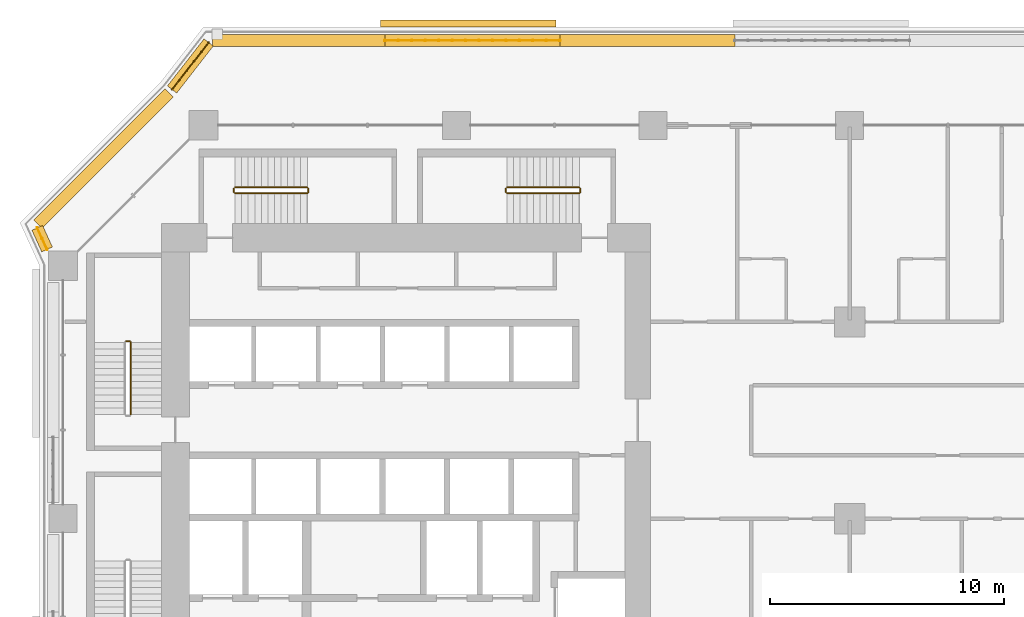
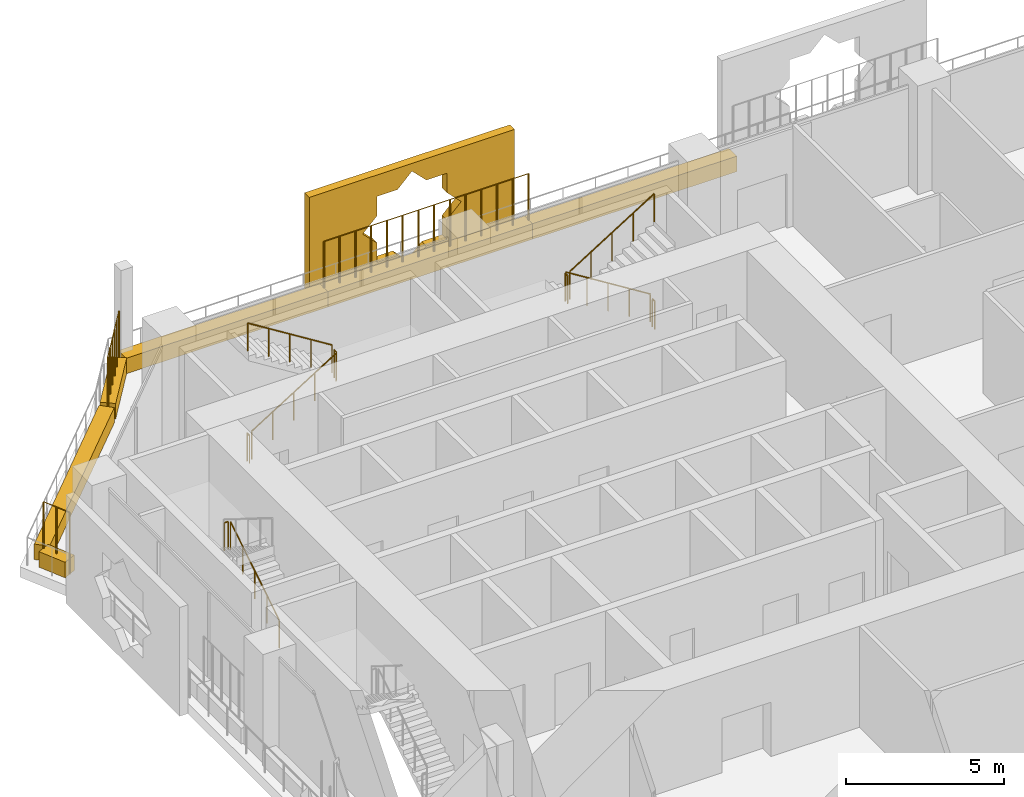
# One storey, part 26 of 28: 13 railings, 7 coverings.
"""IFC4 building model written with IfcOpenShell, lengths in metres."""

from ifc_helpers import new_model, si_unit, direction, frame, origin, origin_2d, place, context, subcontext, project, spatial, polyline, rectangle, circle, outline, extrude, material, material_profile, profile_set, type_object, element, save


model = new_model("IFC4")

# Units and contexts
model_context = context("Model", 3, precision=1e-05, world=origin(), true_north=direction((0.0, 1.0)))
body_context = subcontext(model_context, "Body", "Model", "MODEL_VIEW")
ifc_project = project(units=[si_unit("LENGTHUNIT", "METRE"), si_unit("AREAUNIT", "SQUARE_METRE"), si_unit("VOLUMEUNIT", "CUBIC_METRE"), si_unit("PLANEANGLEUNIT", "RADIAN"), si_unit("MASSUNIT", "GRAM", prefix="KILO")], contexts=[model_context])

# Site, building, storey
site_placement = place(None, origin())
site = spatial("IfcSite", under=ifc_project, at=site_placement, CompositionType="ELEMENT")
building_placement = place(site_placement, origin())
building = spatial("IfcBuilding", under=site, at=building_placement, Name="Kawkab Arch Medical Tower", CompositionType="ELEMENT")
storey_placement = place(building_placement, frame((0.0, 0.0, 81.199951171875)))
storey = spatial("IfcBuildingStorey", under=building, at=storey_placement, Name="L18", CompositionType="ELEMENT", Elevation=81.199951171875)

# Coverings
ifc_material_1 = material(Name="Bronze anodised aluminium mashrabiya panel, eight-point star pattern", Category="aluminium")
ifc_material_profile_1 = material_profile(ifc_material_1, outline(polyline([(-3.75, -2.10009765625), (3.75, -2.10009765625), (3.75, 2.10009765625), (-3.75, 2.10009765625), (-3.75, -2.10009765625)]), holes=[polyline([(1.800048828125, 0.0), (1.272705078125, 0.527099609375), (1.272705078125, 1.272705078125), (0.527099609375, 1.272705078125), (0.0, 1.800048828125), (-0.527099609375, 1.272705078125), (-1.272705078125, 1.272705078125), (-1.272705078125, 0.527099609375), (-1.800048828125, 0.0), (-1.272705078125, -0.527099609375), (-1.272705078125, -1.272705078125), (-0.527099609375, -1.272705078125), (0.0, -1.800048828125), (0.527099609375, -1.272705078125), (1.272705078125, -1.272705078125), (1.272705078125, -0.527099609375), (1.800048828125, 0.0)])]), Name="Mashrabiya panel 7500x4200")
ifc_profile_set_1 = profile_set([ifc_material_profile_1], Name="Bronze anodised aluminium mashrabiya panel, eight-point star pattern")
covering_type_1 = type_object("IfcCoveringType", Name="Mashrabiya panel 7500 x 4200", PredefinedType="USERDEFINED", material=ifc_profile_set_1)
covering_1_placement = place(storey_placement, frame((17.30322265625, 4.199951171875, 1.699951171875), z_axis=(0.0, 1.0, 0.0), x_axis=(-1.0, 0.0, 0.0)))
element("IfcCovering", 1, at=covering_1_placement, inside=storey, type_object=covering_type_1, Name="Mashrabiya panel L18.LOG-01-01.6", ObjectType="SCREEN", PredefinedType="USERDEFINED", context=body_context, shape_type="SweptSolid", body=[
    extrude(outline(polyline([(-3.75, -2.10009765625), (3.75, -2.10009765625), (3.75, 2.10009765625), (-3.75, 2.10009765625), (-3.75, -2.10009765625)]), holes=[polyline([(1.800048828125, 0.0), (1.272705078125, 0.527099609375), (1.272705078125, 1.272705078125), (0.527099609375, 1.272705078125), (0.0, 1.800048828125), (-0.527099609375, 1.272705078125), (-1.272705078125, 1.272705078125), (-1.272705078125, 0.527099609375), (-1.800048828125, 0.0), (-1.272705078125, -0.527099609375), (-1.272705078125, -1.272705078125), (-0.527099609375, -1.272705078125), (0.0, -1.800048828125), (0.527099609375, -1.272705078125), (1.272705078125, -1.272705078125), (1.272705078125, -0.527099609375), (1.800048828125, 0.0)])]), origin(), (0.0, 0.0, 1.0), 0.300048828125),
])
ifc_material_2 = material(Name="Planting soil in a precast trough", Category="concrete")
ifc_material_profile_2 = material_profile(ifc_material_2, rectangle(XDim=0.5, YDim=0.60009765625, at=origin_2d()), Name="Trough 500x600")
ifc_profile_set_2 = profile_set([ifc_material_profile_2], Name="Planting soil in a precast trough")
covering_type_2 = type_object("IfcCoveringType", Name="Planter trough 500 x 600", PredefinedType="USERDEFINED", material=ifc_profile_set_2)
covering_2_placement = place(storey_placement, frame((-0.680908203125, -5.302001953125, 0.300048828125), z_axis=(-0.415071571878, 0.909788761317, 0.0), x_axis=(-0.909788761317, -0.415071571878, 0.0)))
element("IfcCovering", 2, at=covering_2_placement, inside=storey, type_object=covering_type_2, Name="Planter L18.LOG-01-01.17", ObjectType="PLANTER", PredefinedType="USERDEFINED", context=body_context, shape_type="SweptSolid", body=[
    extrude(rectangle(XDim=0.5, YDim=0.60009765625, at=origin_2d()), origin(), (0.0, 0.0, 1.0), 1.0146484375),
])
covering_3_placement = place(storey_placement, frame((-1.072998046875, -4.217041015625, 0.300048828125), z_axis=(0.707106781187, 0.707106781187, 0.0), x_axis=(-0.707106781187, 0.707106781187, 0.0)))
element("IfcCovering", 3, at=covering_3_placement, inside=storey, type_object=covering_type_2, Name="Planter L18.LOG-01-01.18", ObjectType="PLANTER", PredefinedType="USERDEFINED", context=body_context, shape_type="SweptSolid", body=[
    extrude(rectangle(XDim=0.5, YDim=0.60009765625, at=origin_2d()), origin(), (0.0, 0.0, 1.0), 7.919677734375),
])
covering_4_placement = place(storey_placement, frame((4.658935546875, 1.531982421875, 0.300048828125), z_axis=(0.61404021143, 0.789274742246, 0.0), x_axis=(-0.789274742246, 0.61404021143, 0.0)))
element("IfcCovering", 4, at=covering_4_placement, inside=storey, type_object=covering_type_2, Name="Planter L18.LOG-01-01.19", ObjectType="PLANTER", PredefinedType="USERDEFINED", context=body_context, shape_type="SweptSolid", body=[
    extrude(rectangle(XDim=0.5, YDim=0.60009765625, at=origin_2d()), origin(), (0.0, 0.0, 1.0), 2.54541015625),
])
covering_5_placement = place(storey_placement, frame((6.384033203125, 3.6201171875, 0.300048828125), z_axis=(1.0, 0.0, 0.0), x_axis=(0.0, 1.0, 0.0)))
element("IfcCovering", 5, at=covering_5_placement, inside=storey, type_object=covering_type_2, Name="Planter L18.LOG-01-01.20", ObjectType="PLANTER", PredefinedType="USERDEFINED", context=body_context, shape_type="SweptSolid", body=[
    extrude(rectangle(XDim=0.5, YDim=0.60009765625, at=origin_2d()), origin(), (0.0, 0.0, 1.0), 7.369873046875),
])
covering_6_placement = place(storey_placement, frame((13.75390625, 3.6201171875, 0.300048828125), z_axis=(1.0, 0.0, 0.0), x_axis=(0.0, 1.0, 0.0)))
element("IfcCovering", 6, at=covering_6_placement, inside=storey, type_object=covering_type_2, Name="Planter L18.LOG-01-01.21", ObjectType="PLANTER", PredefinedType="USERDEFINED", context=body_context, shape_type="SweptSolid", body=[
    extrude(rectangle(XDim=0.5, YDim=0.60009765625, at=origin_2d()), origin(), (0.0, 0.0, 1.0), 7.47021484375),
])
covering_7_placement = place(storey_placement, frame((21.22412109375, 3.6201171875, 0.300048828125), z_axis=(1.0, 0.0, 0.0), x_axis=(0.0, 1.0, 0.0)))
element("IfcCovering", 7, at=covering_7_placement, inside=storey, type_object=covering_type_2, Name="Planter L18.LOG-01-01.22", ObjectType="PLANTER", PredefinedType="USERDEFINED", context=body_context, shape_type="SweptSolid", body=[
    extrude(rectangle(XDim=0.5, YDim=0.60009765625, at=origin_2d()), origin(), (0.0, 0.0, 1.0), 7.470947265625),
])

# Railings
ifc_material_3 = material(Name="Bronze anodised aluminium trellis for climbing plants", Category="aluminium")
railing_type_1 = type_object("IfcRailingType", Name="Planting trellis 2400", PredefinedType="USERDEFINED", material=ifc_material_3)
railing_1_placement = place(storey_placement, frame((-0.680908203125, -5.302001953125, 0.0)))
element("IfcRailing", 8, at=railing_1_placement, inside=storey, type_object=railing_type_1, Name="Planting trellis L18.LOG-01-01.17", ObjectType="TRELLIS", PredefinedType="USERDEFINED", context=body_context, shape_type="SweptSolid", body=[
    extrude(circle(Radius=0.01513671875, at=origin_2d()), frame((0.0, 0.0, 2.384765625), z_axis=(-0.415071571878, 0.909788761317, 0.0), x_axis=(-0.909788761317, -0.415071571878, 0.0)), (0.0, 0.0, 1.0), 1.0146484375),
    extrude(circle(Radius=0.030029296875, at=origin_2d()), origin(), (0.0, 0.0, 1.0), 2.369873046875),
    extrude(circle(Radius=0.030029296875, at=origin_2d()), frame((-0.21044921875, 0.46142578125, 0.0)), (0.0, 0.0, 1.0), 2.369873046875),
    extrude(circle(Radius=0.030029296875, at=origin_2d()), frame((-0.421142578125, 0.923095703125, 0.0)), (0.0, 0.0, 1.0), 2.369873046875),
])
railing_2_placement = place(storey_placement, frame((4.658935546875, 1.531982421875, 0.0)))
element("IfcRailing", 9, at=railing_2_placement, inside=storey, type_object=railing_type_1, Name="Planting trellis L18.LOG-01-01.19", ObjectType="TRELLIS", PredefinedType="USERDEFINED", context=body_context, shape_type="SweptSolid", body=[
    extrude(circle(Radius=0.01513671875, at=origin_2d()), frame((0.0, 0.0, 2.384765625), z_axis=(0.61404021143, 0.789274742246, 0.0), x_axis=(-0.789274742246, 0.61404021143, 0.0)), (0.0, 0.0, 1.0), 2.54541015625),
    extrude(circle(Radius=0.030029296875, at=origin_2d()), origin(), (0.0, 0.0, 1.0), 2.369873046875),
    extrude(circle(Radius=0.030029296875, at=origin_2d()), frame((0.3125, 0.40185546875, 0.0)), (0.0, 0.0, 1.0), 2.369873046875),
    extrude(circle(Radius=0.030029296875, at=origin_2d()), frame((0.625244140625, 0.8037109375, 0.0)), (0.0, 0.0, 1.0), 2.369873046875),
    extrude(circle(Radius=0.030029296875, at=origin_2d()), frame((0.937744140625, 1.205322265625, 0.0)), (0.0, 0.0, 1.0), 2.369873046875),
    extrude(circle(Radius=0.030029296875, at=origin_2d()), frame((1.25048828125, 1.607177734375, 0.0)), (0.0, 0.0, 1.0), 2.369873046875),
    extrude(circle(Radius=0.030029296875, at=origin_2d()), frame((1.56298828125, 2.009033203125, 0.0)), (0.0, 0.0, 1.0), 2.369873046875),
])
railing_3_placement = place(storey_placement, frame((13.75390625, 3.6201171875, 0.0)))
element("IfcRailing", 10, at=railing_3_placement, inside=storey, type_object=railing_type_1, Name="Planting trellis L18.LOG-01-01.21", ObjectType="TRELLIS", PredefinedType="USERDEFINED", context=body_context, shape_type="SweptSolid", body=[
    extrude(circle(Radius=0.01513671875, at=origin_2d()), frame((0.0, 0.0, 2.384765625), z_axis=(1.0, 0.0, 0.0), x_axis=(0.0, 1.0, 0.0)), (0.0, 0.0, 1.0), 7.47021484375),
    extrude(circle(Radius=0.030029296875, at=origin_2d()), origin(), (0.0, 0.0, 1.0), 2.369873046875),
    extrude(circle(Radius=0.030029296875, at=origin_2d()), frame((0.57470703125, 0.0, 0.0)), (0.0, 0.0, 1.0), 2.369873046875),
    extrude(circle(Radius=0.030029296875, at=origin_2d()), frame((1.149169921875, 0.0, 0.0)), (0.0, 0.0, 1.0), 2.369873046875),
    extrude(circle(Radius=0.030029296875, at=origin_2d()), frame((1.723876953125, 0.0, 0.0)), (0.0, 0.0, 1.0), 2.369873046875),
    extrude(circle(Radius=0.030029296875, at=origin_2d()), frame((2.298583984375, 0.0, 0.0)), (0.0, 0.0, 1.0), 2.369873046875),
    extrude(circle(Radius=0.030029296875, at=origin_2d()), frame((2.873046875, 0.0, 0.0)), (0.0, 0.0, 1.0), 2.369873046875),
    extrude(circle(Radius=0.030029296875, at=origin_2d()), frame((3.44775390625, 0.0, 0.0)), (0.0, 0.0, 1.0), 2.369873046875),
    extrude(circle(Radius=0.030029296875, at=origin_2d()), frame((4.0224609375, 0.0, 0.0)), (0.0, 0.0, 1.0), 2.369873046875),
    extrude(circle(Radius=0.030029296875, at=origin_2d()), frame((4.59716796875, 0.0, 0.0)), (0.0, 0.0, 1.0), 2.369873046875),
    extrude(circle(Radius=0.030029296875, at=origin_2d()), frame((5.171630859375, 0.0, 0.0)), (0.0, 0.0, 1.0), 2.369873046875),
    extrude(circle(Radius=0.030029296875, at=origin_2d()), frame((5.746337890625, 0.0, 0.0)), (0.0, 0.0, 1.0), 2.369873046875),
    extrude(circle(Radius=0.030029296875, at=origin_2d()), frame((6.321044921875, 0.0, 0.0)), (0.0, 0.0, 1.0), 2.369873046875),
    extrude(circle(Radius=0.030029296875, at=origin_2d()), frame((6.8955078125, 0.0, 0.0)), (0.0, 0.0, 1.0), 2.369873046875),
    extrude(circle(Radius=0.030029296875, at=origin_2d()), frame((7.47021484375, 0.0, 0.0)), (0.0, 0.0, 1.0), 2.369873046875),
])
ifc_material_4 = material(Name="Stainless steel", Category="steel")
railing_type_2 = type_object("IfcRailingType", Name="Stair guard 1100", PredefinedType="GUARDRAIL", material=ifc_material_4)
railing_4_placement = place(storey_placement, frame((2.89990234375, -12.35009765625, 0.175048828125)))
element("IfcRailing", 11, at=railing_4_placement, inside=storey, type_object=railing_type_2, Name="L18 ST1 stair guard 1", PredefinedType="GUARDRAIL", context=body_context, shape_type="SweptSolid", body=[
    extrude(circle(Radius=0.02392578125, at=origin_2d()), frame((0.0, 0.0, 1.076171875), z_axis=(0.0, 0.847998304005, 0.529998940003), x_axis=(-1.0, 0.0, 0.0)), (0.0, 0.0, 1.0), 3.632080078125),
    extrude(circle(Radius=0.02099609375, at=origin_2d()), origin(), (0.0, 0.0, 1.0), 1.052001953125),
    extrude(circle(Radius=0.02099609375, at=origin_2d()), frame((0.0, 0.77001953125, 0.481201171875)), (0.0, 0.0, 1.0), 1.052001953125),
    extrude(circle(Radius=0.02099609375, at=origin_2d()), frame((0.0, 1.5400390625, 0.96240234375)), (0.0, 0.0, 1.0), 1.052001953125),
    extrude(circle(Radius=0.02099609375, at=origin_2d()), frame((0.0, 2.31005859375, 1.44384765625)), (0.0, 0.0, 1.0), 1.052001953125),
    extrude(circle(Radius=0.02099609375, at=origin_2d()), frame((0.0, 3.080078125, 1.925048828125)), (0.0, 0.0, 1.0), 1.052001953125),
])
railing_5_placement = place(storey_placement, frame((2.85009765625, -9.219970703125, 2.10009765625)))
element("IfcRailing", 12, at=railing_5_placement, inside=storey, type_object=railing_type_2, Name="L18 ST1 stair guard 2", PredefinedType="GUARDRAIL", context=body_context, shape_type="SweptSolid", body=[
    extrude(circle(Radius=0.02392578125, at=origin_2d()), frame((0.0, 0.0, 1.076171875), z_axis=(-1.0, 0.0, 0.0), x_axis=(0.0, -1.0, 0.0)), (0.0, 0.0, 1.0), 0.150146484375),
    extrude(circle(Radius=0.02099609375, at=origin_2d()), origin(), (0.0, 0.0, 1.0), 1.052001953125),
    extrude(circle(Radius=0.02099609375, at=origin_2d()), frame((-0.150146484375, 0.0, 0.0)), (0.0, 0.0, 1.0), 1.052001953125),
])
railing_6_placement = place(storey_placement, frame((7.35009765625, -2.89990234375, 0.175048828125)))
element("IfcRailing", 13, at=railing_6_placement, inside=storey, type_object=railing_type_2, Name="L18 ST3 stair guard 1", PredefinedType="GUARDRAIL", context=body_context, shape_type="SweptSolid", body=[
    extrude(circle(Radius=0.02392578125, at=origin_2d()), frame((0.0, 0.0, 1.076171875), z_axis=(0.847979421464, 0.0, 0.530029150871), x_axis=(0.0, 1.0, 0.0)), (0.0, 0.0, 1.0), 3.632080078125),
    extrude(circle(Radius=0.02099609375, at=origin_2d()), origin(), (0.0, 0.0, 1.0), 1.052001953125),
    extrude(circle(Radius=0.02099609375, at=origin_2d()), frame((0.77001953125, 0.0, 0.481201171875)), (0.0, 0.0, 1.0), 1.052001953125),
    extrude(circle(Radius=0.02099609375, at=origin_2d()), frame((1.5400390625, 0.0, 0.96240234375)), (0.0, 0.0, 1.0), 1.052001953125),
    extrude(circle(Radius=0.02099609375, at=origin_2d()), frame((2.309814453125, 0.0, 1.44384765625)), (0.0, 0.0, 1.0), 1.052001953125),
    extrude(circle(Radius=0.02099609375, at=origin_2d()), frame((3.079833984375, 0.0, 1.925048828125)), (0.0, 0.0, 1.0), 1.052001953125),
])
railing_7_placement = place(storey_placement, frame((10.47998046875, -2.85009765625, 2.10009765625)))
element("IfcRailing", 14, at=railing_7_placement, inside=storey, type_object=railing_type_2, Name="L18 ST3 stair guard 2", PredefinedType="GUARDRAIL", context=body_context, shape_type="SweptSolid", body=[
    extrude(circle(Radius=0.02392578125, at=origin_2d()), frame((0.0, 0.0, 1.076171875), z_axis=(0.0, 1.0, 0.0), x_axis=(-1.0, 0.0, 0.0)), (0.0, 0.0, 1.0), 0.150146484375),
    extrude(circle(Radius=0.02099609375, at=origin_2d()), origin(), (0.0, 0.0, 1.0), 1.052001953125),
    extrude(circle(Radius=0.02099609375, at=origin_2d()), frame((0.0, 0.150146484375, 0.0)), (0.0, 0.0, 1.0), 1.052001953125),
])
railing_8_placement = place(storey_placement, frame((10.429931640625, -2.64990234375, 2.275146484375)))
element("IfcRailing", 15, at=railing_8_placement, inside=storey, type_object=railing_type_2, Name="L18 ST3 stair guard 3", PredefinedType="GUARDRAIL", context=body_context, shape_type="SweptSolid", body=[
    extrude(circle(Radius=0.02392578125, at=origin_2d()), frame((0.0, 0.0, 1.076171875), z_axis=(-0.848009633417, 0.0, 0.529980812513), x_axis=(0.0, -1.0, 0.0)), (0.0, 0.0, 1.0), 3.6318359375),
    extrude(circle(Radius=0.02099609375, at=origin_2d()), origin(), (0.0, 0.0, 1.0), 1.052001953125),
    extrude(circle(Radius=0.02099609375, at=origin_2d()), frame((-0.77001953125, 0.0, 0.481201171875)), (0.0, 0.0, 1.0), 1.052001953125),
    extrude(circle(Radius=0.02099609375, at=origin_2d()), frame((-1.5400390625, 0.0, 0.96240234375)), (0.0, 0.0, 1.0), 1.052001953125),
    extrude(circle(Radius=0.02099609375, at=origin_2d()), frame((-2.309814453125, 0.0, 1.443603515625)), (0.0, 0.0, 1.0), 1.052001953125),
    extrude(circle(Radius=0.02099609375, at=origin_2d()), frame((-3.079833984375, 0.0, 1.9248046875)), (0.0, 0.0, 1.0), 1.052001953125),
])
railing_9_placement = place(storey_placement, frame((7.300048828125, -2.85009765625, 0.0)))
element("IfcRailing", 16, at=railing_9_placement, inside=storey, type_object=railing_type_2, Name="L18 ST3 stair guard 4", PredefinedType="GUARDRAIL", context=body_context, shape_type="SweptSolid", body=[
    extrude(circle(Radius=0.02392578125, at=origin_2d()), frame((0.0, 0.0, 1.076171875), z_axis=(0.0, 1.0, 0.0), x_axis=(-1.0, 0.0, 0.0)), (0.0, 0.0, 1.0), 0.150146484375),
    extrude(circle(Radius=0.02099609375, at=origin_2d()), origin(), (0.0, 0.0, 1.0), 1.052001953125),
    extrude(circle(Radius=0.02099609375, at=origin_2d()), frame((0.0, 0.150146484375, 0.0)), (0.0, 0.0, 1.0), 1.052001953125),
])
railing_10_placement = place(storey_placement, frame((22.050048828125, -2.64990234375, 0.175048828125)))
element("IfcRailing", 17, at=railing_10_placement, inside=storey, type_object=railing_type_2, Name="L18 ST4 stair guard 1", PredefinedType="GUARDRAIL", context=body_context, shape_type="SweptSolid", body=[
    extrude(circle(Radius=0.02392578125, at=origin_2d()), frame((0.0, 0.0, 1.076171875), z_axis=(-0.847998304005, 0.0, 0.529998940003), x_axis=(0.0, -1.0, 0.0)), (0.0, 0.0, 1.0), 3.632080078125),
    extrude(circle(Radius=0.02099609375, at=origin_2d()), origin(), (0.0, 0.0, 1.0), 1.052001953125),
    extrude(circle(Radius=0.02099609375, at=origin_2d()), frame((-0.77001953125, 0.0, 0.481201171875)), (0.0, 0.0, 1.0), 1.052001953125),
    extrude(circle(Radius=0.02099609375, at=origin_2d()), frame((-1.5400390625, 0.0, 0.96240234375)), (0.0, 0.0, 1.0), 1.052001953125),
    extrude(circle(Radius=0.02099609375, at=origin_2d()), frame((-2.31005859375, 0.0, 1.44384765625)), (0.0, 0.0, 1.0), 1.052001953125),
    extrude(circle(Radius=0.02099609375, at=origin_2d()), frame((-3.080078125, 0.0, 1.925048828125)), (0.0, 0.0, 1.0), 1.052001953125),
])
railing_11_placement = place(storey_placement, frame((18.919921875, -2.699951171875, 2.10009765625)))
element("IfcRailing", 18, at=railing_11_placement, inside=storey, type_object=railing_type_2, Name="L18 ST4 stair guard 2", PredefinedType="GUARDRAIL", context=body_context, shape_type="SweptSolid", body=[
    extrude(circle(Radius=0.02392578125, at=origin_2d()), frame((0.0, 0.0, 1.076171875), z_axis=(0.0, -1.0, 0.0), x_axis=(1.0, 0.0, 0.0)), (0.0, 0.0, 1.0), 0.150146484375),
    extrude(circle(Radius=0.02099609375, at=origin_2d()), origin(), (0.0, 0.0, 1.0), 1.052001953125),
    extrude(circle(Radius=0.02099609375, at=origin_2d()), frame((0.0, -0.150146484375, 0.0)), (0.0, 0.0, 1.0), 1.052001953125),
])
railing_12_placement = place(storey_placement, frame((18.969970703125, -2.89990234375, 2.275146484375)))
element("IfcRailing", 19, at=railing_12_placement, inside=storey, type_object=railing_type_2, Name="L18 ST4 stair guard 3", PredefinedType="GUARDRAIL", context=body_context, shape_type="SweptSolid", body=[
    extrude(circle(Radius=0.02392578125, at=origin_2d()), frame((0.0, 0.0, 1.076171875), z_axis=(0.848028513186, 0.0, 0.529950602248), x_axis=(0.0, 1.0, 0.0)), (0.0, 0.0, 1.0), 3.632080078125),
    extrude(circle(Radius=0.02099609375, at=origin_2d()), origin(), (0.0, 0.0, 1.0), 1.052001953125),
    extrude(circle(Radius=0.02099609375, at=origin_2d()), frame((0.77001953125, 0.0, 0.481201171875)), (0.0, 0.0, 1.0), 1.052001953125),
    extrude(circle(Radius=0.02099609375, at=origin_2d()), frame((1.5400390625, 0.0, 0.96240234375)), (0.0, 0.0, 1.0), 1.052001953125),
    extrude(circle(Radius=0.02099609375, at=origin_2d()), frame((2.31005859375, 0.0, 1.443603515625)), (0.0, 0.0, 1.0), 1.052001953125),
    extrude(circle(Radius=0.02099609375, at=origin_2d()), frame((3.080078125, 0.0, 1.9248046875)), (0.0, 0.0, 1.0), 1.052001953125),
])
railing_13_placement = place(storey_placement, frame((22.10009765625, -2.699951171875, 0.0)))
element("IfcRailing", 20, at=railing_13_placement, inside=storey, type_object=railing_type_2, Name="L18 ST4 stair guard 4", PredefinedType="GUARDRAIL", context=body_context, shape_type="SweptSolid", body=[
    extrude(circle(Radius=0.02392578125, at=origin_2d()), frame((0.0, 0.0, 1.076171875), z_axis=(0.0, -1.0, 0.0), x_axis=(1.0, 0.0, 0.0)), (0.0, 0.0, 1.0), 0.150146484375),
    extrude(circle(Radius=0.02099609375, at=origin_2d()), origin(), (0.0, 0.0, 1.0), 1.052001953125),
    extrude(circle(Radius=0.02099609375, at=origin_2d()), frame((0.0, -0.150146484375, 0.0)), (0.0, 0.0, 1.0), 1.052001953125),
])

save(model, "model.ifc")
